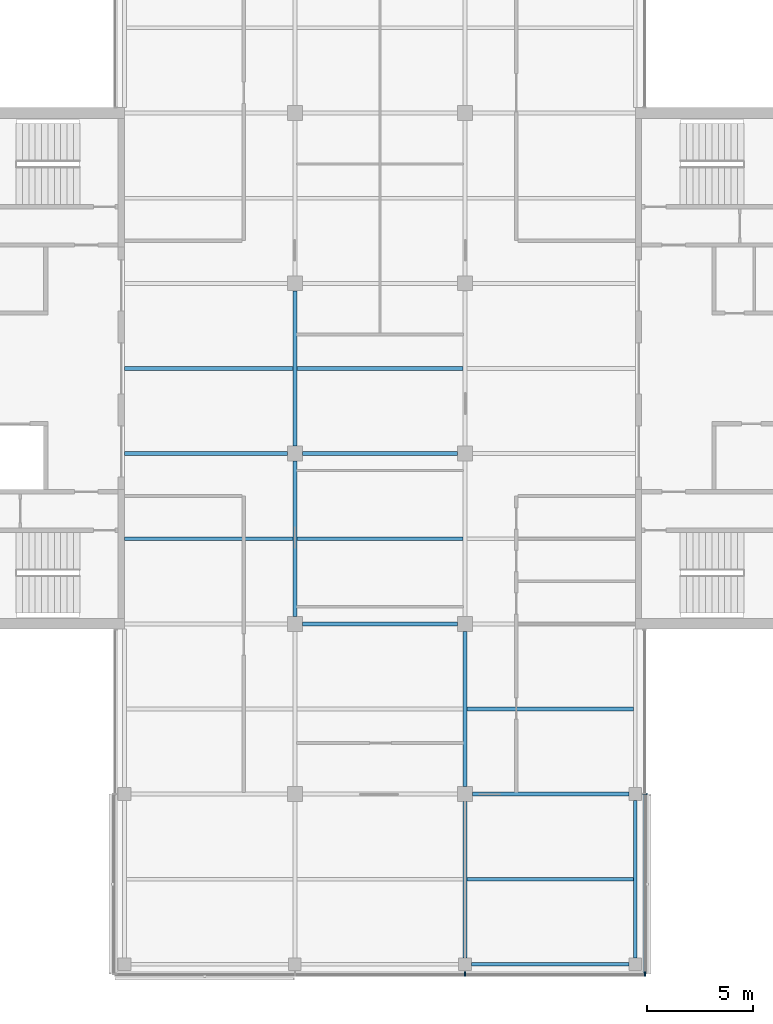
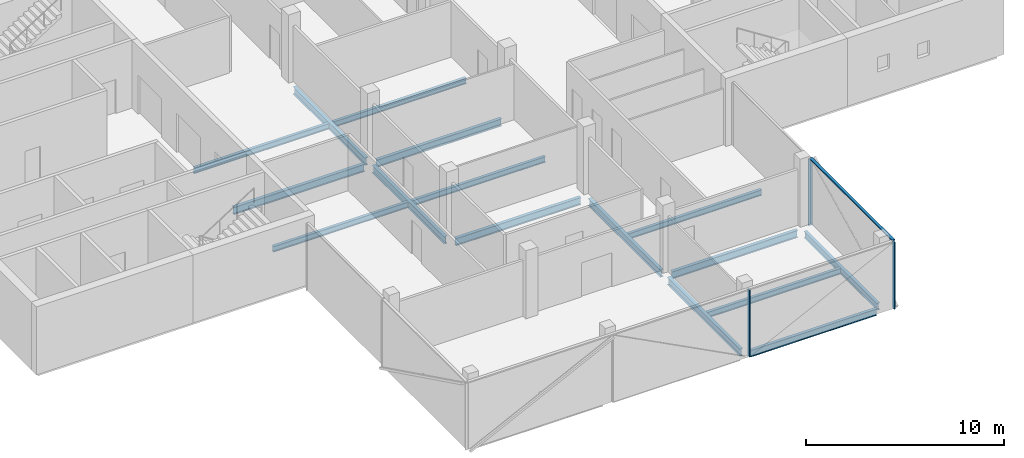
# One storey, part 3 of 15: 16 beams, 4 members, 2 elements without a shape of their own.
"""IFC4 building model written with IfcOpenShell, lengths in metres."""

import ifcopenshell
import ifcopenshell.guid

model = None  # the IFC model being written
_history = None  # IfcOwnerHistory: only IFC2X3 demands one
_inside = {}  # id of a spatial element -> (the spatial element, [elements in it])
_under = {}  # id of a project, library or spatial element -> (it, [spatial elements below it])
_declared = {}  # id of a project -> (the project, [libraries it declares])
_typed = {}  # id of a type object -> (the type object, [elements of that type])
_made_of = {}  # id of a material, layer set ... -> (it, [elements and type objects made of it])


def new_model(schema):
    """Start an empty IFC model of exactly this schema.

    Asked for "IFC4X3", IfcOpenShell would pick the latest addendum, in which some entities
    have other attributes; the version numbers below select the first issue.
    IFC2X3 requires an IfcOwnerHistory on every rooted entity: one is made here for all.
    """
    global model, _history
    if schema == "IFC4X3":
        model = ifcopenshell.file(schema_version=(4, 3, 0, 0))
    else:
        model = ifcopenshell.file(schema=schema)
    _inside.clear()
    _under.clear()
    _declared.clear()
    _typed.clear()
    _made_of.clear()
    _history = None
    if model.schema == "IFC2X3":
        org = make("IfcOrganization", Name="unknown")
        user = make(
            "IfcPersonAndOrganization",
            ThePerson=make("IfcPerson", FamilyName="unknown"),
            TheOrganization=org,
        )
        app = make(
            "IfcApplication",
            ApplicationDeveloper=org,
            Version="unknown",
            ApplicationFullName="unknown",
            ApplicationIdentifier="unknown",
        )
        _history = make(
            "IfcOwnerHistory",
            OwningUser=user,
            OwningApplication=app,
            ChangeAction="ADDED",
            CreationDate=0,
        )
    return model


def make(cls, **values):
    """One entity of the class cls with the attributes given. An attribute that is None is left unset."""
    return model.create_entity(
        cls, **{name: value for name, value in values.items() if value is not None}
    )


def rooted(cls, **values):
    """An entity with a GlobalId (a new one), such as an element, a storey or a relation."""
    return make(cls, GlobalId=ifcopenshell.guid.new(), OwnerHistory=_history, **values)


def si_unit(unit_type, name, prefix=None):
    """IfcSIUnit, for example si_unit("LENGTHUNIT", "METRE", prefix="MILLI")."""
    return make("IfcSIUnit", UnitType=unit_type, Prefix=prefix, Name=name)


def assignment(units):
    """IfcUnitAssignment: the units of a project."""
    return None if units is None else make("IfcUnitAssignment", Units=units)


def point(xyz):
    """IfcCartesianPoint."""
    return None if xyz is None else make("IfcCartesianPoint", Coordinates=xyz)


def direction(xyz):
    """IfcDirection."""
    return None if xyz is None else make("IfcDirection", DirectionRatios=xyz)


def frame(location, z_axis=None, x_axis=None):
    """IfcAxis2Placement3D, a coordinate frame: its origin and axes. An axis left out is left unset."""
    return make(
        "IfcAxis2Placement3D",
        Location=point(location),
        Axis=direction(z_axis),
        RefDirection=direction(x_axis),
    )


def frame_2d(location, x_axis=None):
    """IfcAxis2Placement2D, a coordinate frame in the plane: its origin and x axis."""
    return make(
        "IfcAxis2Placement2D", Location=point(location), RefDirection=direction(x_axis)
    )


def origin():
    """The frame at (0, 0, 0) with its axes left unset."""
    return frame((0.0, 0.0, 0.0))


def origin_2d():
    """The frame at (0, 0) in the plane with its x axis left unset."""
    return frame_2d((0.0, 0.0))


def place(relative_to, where):
    """IfcLocalPlacement: puts the frame where relative to a parent placement (None: the world)."""
    return make(
        "IfcLocalPlacement", PlacementRelTo=relative_to, RelativePlacement=where
    )


def context(
    kind, dimensions, precision=None, world=None, true_north=None, identifier=None
):
    """IfcGeometricRepresentationContext, for example the 3D "Model" context."""
    return make(
        "IfcGeometricRepresentationContext",
        ContextIdentifier=identifier,
        ContextType=kind,
        CoordinateSpaceDimension=dimensions,
        Precision=precision,
        WorldCoordinateSystem=world,
        TrueNorth=true_north,
    )


def subcontext(parent, identifier, kind, view, scale=None):
    """IfcGeometricRepresentationSubContext, for example "Body" below "Model"."""
    return make(
        "IfcGeometricRepresentationSubContext",
        ContextIdentifier=identifier,
        ContextType=kind,
        ParentContext=parent,
        TargetScale=scale,
        TargetView=view,
    )


def project(units=None, contexts=None):
    """IfcProject with its units and contexts."""
    return rooted(
        "IfcProject",
        Name="project",
        RepresentationContexts=contexts,
        UnitsInContext=assignment(units),
    )


def spatial(cls, under=None, at=None, **own):
    """A site, building, storey or space (cls), placed at a placement, below another one or the project."""
    s = rooted(cls, ObjectPlacement=at, **own)
    if under is not None:
        _under.setdefault(under.id(), (under, []))[1].append(s)
    return s


def profile(cls, at=None, kind="AREA", **sizes):
    """A parametric profile (cls). Its sizes go by their IFC names, for example OverallWidth=200.0."""
    return make(cls, ProfileType=kind, Position=at, **sizes)


def rectangle(**sizes):
    """IfcRectangleProfileDef."""
    return profile("IfcRectangleProfileDef", **sizes)


def i_section(**sizes):
    """IfcIShapeProfileDef."""
    return profile("IfcIShapeProfileDef", **sizes)


def extrude(swept, where, along, depth):
    """IfcExtrudedAreaSolid: the profile swept, set in the frame where, extruded along a direction by depth."""
    return make(
        "IfcExtrudedAreaSolid",
        SweptArea=swept,
        Position=where,
        ExtrudedDirection=direction(along),
        Depth=depth,
    )


def shape(context_of_items, identifier, shape_type, items):
    """IfcShapeRepresentation: the items that make up one representation, for example the "Body"."""
    return make(
        "IfcShapeRepresentation",
        ContextOfItems=context_of_items,
        RepresentationIdentifier=identifier,
        RepresentationType=shape_type,
        Items=items,
    )


def material(Name=None, Category=None):
    """IfcMaterial."""
    return make("IfcMaterial", Name=Name, Category=Category)


def material_profile(
    of_material, cross_section, Name=None, Category=None, Priority=None
):
    """IfcMaterialProfile: a cross section and its material."""
    return make(
        "IfcMaterialProfile",
        Name=Name,
        Material=of_material,
        Profile=cross_section,
        Priority=Priority,
        Category=Category,
    )


def profile_set(profiles, Name=None, composite=None):
    """IfcMaterialProfileSet."""
    return make(
        "IfcMaterialProfileSet",
        Name=Name,
        MaterialProfiles=profiles,
        CompositeProfile=composite,
    )


def made_of(thing, what):
    """Note that an element or type object is made of a material, layer set ...; save() writes the relation."""
    if what is not None:
        _made_of.setdefault(what.id(), (what, []))[1].append(thing)
    return thing


def type_object(cls, material=None, **own):
    """A type object (cls), such as IfcWallType, which elements share."""
    return made_of(rooted(cls, **own), material)


def element(
    cls,
    number,
    at=None,
    inside=None,
    cuts=None,
    type_object=None,
    material=None,
    context=None,
    identifier="Body",
    shape_type=None,
    held_by="IfcProductDefinitionShape",
    body=None,
    shapes=None,
    **own,
):
    """One element of the class cls, such as IfcWall. Its Tag is "e" and its number.

    at: its placement. inside: the storey or other place that contains it. cuts: it is an
    opening in that element (IfcRelVoidsElement). A single representation is given by context,
    identifier, shape_type and body (its items); several are given by shapes. held_by: the class
    of the entity that holds the representations. save() writes the other relations.
    """
    e = rooted(cls, Tag="e%d" % number, ObjectPlacement=at, **own)
    if body is not None:
        shapes = [shape(context, identifier, shape_type, body)]
    if shapes is not None:
        e.Representation = make(held_by, Representations=shapes)
    if inside is not None:
        _inside.setdefault(inside.id(), (inside, []))[1].append(e)
    if cuts is not None:
        rooted(
            "IfcRelVoidsElement", RelatingBuildingElement=cuts, RelatedOpeningElement=e
        )
    if type_object is not None:
        _typed.setdefault(type_object.id(), (type_object, []))[1].append(e)
    return made_of(e, material)


def aggregate(whole, parts):
    """IfcRelAggregates: a whole, such as a stair, and the parts it consists of."""
    return rooted("IfcRelAggregates", RelatingObject=whole, RelatedObjects=parts)


def save(model, path):
    """Write the relations noted so far, then the file.

    IfcRelAggregates (storeys below a building ...), IfcRelContainedInSpatialStructure (elements
    in a storey), IfcRelDefinesByType, IfcRelAssociatesMaterial and IfcRelDeclares: one each for
    every whole, place, type object, material and project.
    """
    for whole, parts in _under.values():
        aggregate(whole, parts)
    for where, things in _inside.values():
        rooted(
            "IfcRelContainedInSpatialStructure",
            RelatedElements=things,
            RelatingStructure=where,
        )
    for kind, things in _typed.values():
        rooted("IfcRelDefinesByType", RelatedObjects=things, RelatingType=kind)
    for what, things in _made_of.values():
        rooted("IfcRelAssociatesMaterial", RelatedObjects=things, RelatingMaterial=what)
    for by, libraries in _declared.values():
        rooted("IfcRelDeclares", RelatingContext=by, RelatedDefinitions=libraries)
    model.write(path)


model = new_model("IFC4")

# Units and contexts
model_context = context("Model", 3, precision=1e-05, world=origin(), true_north=direction((0.0, 1.0)))
body_context = subcontext(model_context, "Body", "Model", "MODEL_VIEW")
ifc_project = project(units=[si_unit("LENGTHUNIT", "METRE"), si_unit("AREAUNIT", "SQUARE_METRE"), si_unit("VOLUMEUNIT", "CUBIC_METRE"), si_unit("PLANEANGLEUNIT", "RADIAN"), si_unit("MASSUNIT", "GRAM", prefix="KILO")], contexts=[model_context])

# Site, building, storey
site_placement = place(None, origin())
site = spatial("IfcSite", under=ifc_project, at=site_placement, CompositionType="ELEMENT")
building_placement = place(site_placement, origin())
building = spatial("IfcBuilding", under=site, at=building_placement, Name="Crosswind Convention Tower", CompositionType="ELEMENT")
storey_placement = place(building_placement, frame((0.0, 0.0, 266.10009765625)))
storey = spatial("IfcBuildingStorey", under=building, at=storey_placement, Name="L57", CompositionType="ELEMENT", Elevation=266.10009765625)

# Beams
ifc_material_1 = material(Name="Steel S355", Category="steel")
ifc_material_profile_1 = material_profile(ifc_material_1, i_section(OverallWidth=0.177734375, OverallDepth=0.406494140625, WebThickness=0.0078125, FlangeThickness=0.0126953125, FilletRadius=0.01025390625, at=origin_2d()), Name="UB 406x178x60")
ifc_profile_set_1 = profile_set([ifc_material_profile_1], Name="Steel S355")
beam_type_1 = type_object("IfcBeamType", Name="Edge beam UB 406x178x60", PredefinedType="SPANDREL", material=ifc_profile_set_1)
for number, where, z_axis, x_axis, name in (
    (1, (129.300048828125, 72.0, -0.50341796875), (1.0, 0.0, 0.0), (0.0, 1.0, 0.0), "B15 L57 edge beam 9"),
    (2, (137.0, 72.300048828125, -0.50341796875), (0.0, 1.0, 0.0), (-1.0, 0.0, 0.0), "B15 L57 edge beam 11"),
):
    element("IfcBeam", number, at=place(storey_placement, frame(where, z_axis=z_axis, x_axis=x_axis)), inside=storey, type_object=beam_type_1, Name=name, PredefinedType="SPANDREL", context=body_context, shape_type="SweptSolid", body=[
        extrude(i_section(OverallWidth=0.177734375, OverallDepth=0.406494140625, WebThickness=0.0078125, FlangeThickness=0.0126953125, FilletRadius=0.01025390625, at=origin_2d()), origin(), (0.0, 0.0, 1.0), 7.39990234375),
    ])
ifc_material_profile_2 = material_profile(ifc_material_1, i_section(OverallWidth=0.18994140625, OverallDepth=0.45361328125, WebThickness=0.008544921875, FlangeThickness=0.0126953125, FilletRadius=0.01025390625, at=origin_2d()), Name="UB 457x191x67")
ifc_profile_set_2 = profile_set([ifc_material_profile_2], Name="Steel S355")
beam_type_2 = type_object("IfcBeamType", Name="Girder UB 457x191x67", PredefinedType="BEAM", material=ifc_profile_set_2)
for number, where, z_axis, x_axis, name in (
    (3, (121.0, 88.35009765625, -0.52685546875), (0.0, 1.0, 0.0), (-1.0, 0.0, 0.0), "B1 L57 girder 5"),
    (4, (121.0, 96.35009765625, -0.52685546875), (0.0, 1.0, 0.0), (-1.0, 0.0, 0.0), "B1 L57 girder 6"),
    (5, (121.35009765625, 88.0, -0.52685546875), (1.0, 0.0, 0.0), (0.0, 1.0, 0.0), "B1 L57 girder 11"),
    (6, (121.35009765625, 96.0, -0.52685546875), (1.0, 0.0, 0.0), (0.0, 1.0, 0.0), "B1 L57 girder 12"),
):
    element("IfcBeam", number, at=place(storey_placement, frame(where, z_axis=z_axis, x_axis=x_axis)), inside=storey, type_object=beam_type_2, Name=name, PredefinedType="BEAM", context=body_context, shape_type="SweptSolid", body=[
        extrude(i_section(OverallWidth=0.18994140625, OverallDepth=0.45361328125, WebThickness=0.008544921875, FlangeThickness=0.0126953125, FilletRadius=0.01025390625, at=origin_2d()), origin(), (0.0, 0.0, 1.0), 7.2998046875),
    ])
beam_1_placement = place(storey_placement, frame((129.0, 72.300048828125, -0.52685546875), z_axis=(0.0, 1.0, 0.0), x_axis=(-1.0, 0.0, 0.0)))
element("IfcBeam", 7, at=beam_1_placement, inside=storey, type_object=beam_type_2, Name="B1 L57 girder 16", PredefinedType="BEAM", context=body_context, shape_type="SweptSolid", body=[
    extrude(i_section(OverallWidth=0.18994140625, OverallDepth=0.45361328125, WebThickness=0.008544921875, FlangeThickness=0.0126953125, FilletRadius=0.01025390625, at=origin_2d()), origin(), (0.0, 0.0, 1.0), 7.349853515625),
])
beam_2_placement = place(storey_placement, frame((129.0, 80.35009765625, -0.52685546875), z_axis=(0.0, 1.0, 0.0), x_axis=(-1.0, 0.0, 0.0)))
element("IfcBeam", 8, at=beam_2_placement, inside=storey, type_object=beam_type_2, Name="B1 L57 girder 17", PredefinedType="BEAM", context=body_context, shape_type="SweptSolid", body=[
    extrude(i_section(OverallWidth=0.18994140625, OverallDepth=0.45361328125, WebThickness=0.008544921875, FlangeThickness=0.0126953125, FilletRadius=0.01025390625, at=origin_2d()), origin(), (0.0, 0.0, 1.0), 7.2998046875),
])
beam_3_placement = place(storey_placement, frame((129.35009765625, 80.0, -0.52685546875), z_axis=(1.0, 0.0, 0.0), x_axis=(0.0, 1.0, 0.0)))
element("IfcBeam", 9, at=beam_3_placement, inside=storey, type_object=beam_type_2, Name="B1 L57 girder 23", PredefinedType="BEAM", context=body_context, shape_type="SweptSolid", body=[
    extrude(i_section(OverallWidth=0.18994140625, OverallDepth=0.45361328125, WebThickness=0.008544921875, FlangeThickness=0.0126953125, FilletRadius=0.01025390625, at=origin_2d()), origin(), (0.0, 0.0, 1.0), 7.349853515625),
])
ifc_material_profile_3 = material_profile(ifc_material_1, i_section(OverallWidth=0.1904296875, OverallDepth=0.457275390625, WebThickness=0.009033203125, FlangeThickness=0.014404296875, FilletRadius=0.01025390625, at=origin_2d()), Name="UB 457x191x75")
ifc_profile_set_3 = profile_set([ifc_material_profile_3], Name="Steel S355")
beam_type_3 = type_object("IfcBeamType", Name="Girder at core wall UB 457x191x75", PredefinedType="BEAM", material=ifc_profile_set_3)
beam_4_placement = place(storey_placement, frame((113.0, 96.0, -0.52880859375), z_axis=(1.0, 0.0, 0.0), x_axis=(0.0, 1.0, 0.0)))
element("IfcBeam", 10, at=beam_4_placement, inside=storey, type_object=beam_type_3, Name="B22 L57 girder at core wall 2", PredefinedType="BEAM", context=body_context, shape_type="SweptSolid", body=[
    extrude(i_section(OverallWidth=0.1904296875, OverallDepth=0.457275390625, WebThickness=0.009033203125, FlangeThickness=0.014404296875, FilletRadius=0.01025390625, at=origin_2d()), origin(), (0.0, 0.0, 1.0), 7.64990234375),
])

# Curtain wall, members
ifc_material_2 = material(Name="Aluminium unitised curtain wall", Category="aluminium")
curtain_wall_type = type_object("IfcCurtainWallType", Name="OFFICE UNITISED WALL 220", PredefinedType="USERDEFINED", material=ifc_material_2)
curtain_wall_1_placement = place(storey_placement, origin())
curtain_wall_1 = element("IfcCurtainWall", 11, at=curtain_wall_1_placement, inside=storey, type_object=curtain_wall_type, Name="CW3 L57 S-TIP 1", ObjectType="UNITISED", PredefinedType="USERDEFINED")
ifc_material_3 = material(Name="Aluminium mullion", Category="aluminium")
ifc_material_profile_4 = material_profile(ifc_material_3, rectangle(XDim=0.219970703125, YDim=0.070068359375, at=origin_2d()), Name="AL 220X70")
ifc_profile_set_4 = profile_set([ifc_material_profile_4], Name="Aluminium mullion")
member_type_1 = type_object("IfcMemberType", Name="MULLION 70X220", PredefinedType="MULLION", material=ifc_profile_set_4)
member_1_placement = place(storey_placement, frame((129.0, 71.5400390625, -0.300048828125), z_axis=(0.0, 0.0, 1.0), x_axis=(0.0, -1.0, 0.0)))
member_1 = element("IfcMember", 12, at=member_1_placement, type_object=member_type_1, Name="CW3 mullion 3", PredefinedType="MULLION", context=body_context, shape_type="SweptSolid", body=[
    extrude(rectangle(XDim=0.219970703125, YDim=0.070068359375, at=origin_2d()), origin(), (0.0, 0.0, 1.0), 4.1298828125),
])
member_2_placement = place(storey_placement, frame((137.4599609375, 71.5400390625, -0.300048828125), z_axis=(0.0, 0.0, 1.0), x_axis=(0.0, -1.0, 0.0)))
member_2 = element("IfcMember", 13, at=member_2_placement, type_object=member_type_1, Name="CW3 mullion 4", PredefinedType="MULLION", context=body_context, shape_type="SweptSolid", body=[
    extrude(rectangle(XDim=0.219970703125, YDim=0.070068359375, at=origin_2d()), origin(), (0.0, 0.0, 1.0), 4.1298828125),
])
aggregate(curtain_wall_1, [member_1, member_2])

# Curtain wall, member
curtain_wall_2_placement = place(storey_placement, origin())
curtain_wall_2 = element("IfcCurtainWall", 14, at=curtain_wall_2_placement, inside=storey, type_object=curtain_wall_type, Name="CW3 L57 S-E 1", ObjectType="UNITISED", PredefinedType="USERDEFINED")
member_3_placement = place(storey_placement, frame((137.4599609375, 80.0, -0.300048828125), z_axis=(0.0, 0.0, 1.0), x_axis=(1.0, 0.0, 0.0)))
member_3 = element("IfcMember", 15, at=member_3_placement, type_object=member_type_1, Name="CW3 mullion 2", PredefinedType="MULLION", context=body_context, shape_type="SweptSolid", body=[
    extrude(rectangle(XDim=0.219970703125, YDim=0.070068359375, at=origin_2d()), origin(), (0.0, 0.0, 1.0), 4.1298828125),
])

# Beams
ifc_material_profile_5 = material_profile(ifc_material_1, i_section(OverallWidth=0.17138671875, OverallDepth=0.355712890625, WebThickness=0.00732421875, FlangeThickness=0.011474609375, FilletRadius=0.01025390625, at=origin_2d()), Name="UB 356x171x51")
ifc_profile_set_5 = profile_set([ifc_material_profile_5], Name="Steel S355")
beam_type_4 = type_object("IfcBeamType", Name="Secondary beam UB 356x171x51", PredefinedType="JOIST", material=ifc_profile_set_5)
for number, where, z_axis, x_axis, name in (
    (16, (113.0, 92.0, -0.477783203125), (1.0, 0.0, 0.0), (0.0, 1.0, 0.0), "B8 L57 secondary beam 1"),
    (17, (113.0, 100.0, -0.477783203125), (1.0, 0.0, 0.0), (0.0, 1.0, 0.0), "B8 L57 secondary beam 2"),
):
    element("IfcBeam", number, at=place(storey_placement, frame(where, z_axis=z_axis, x_axis=x_axis)), inside=storey, type_object=beam_type_4, Name=name, PredefinedType="JOIST", context=body_context, shape_type="SweptSolid", body=[
        extrude(i_section(OverallWidth=0.17138671875, OverallDepth=0.355712890625, WebThickness=0.00732421875, FlangeThickness=0.011474609375, FilletRadius=0.01025390625, at=origin_2d()), origin(), (0.0, 0.0, 1.0), 7.905029296875),
    ])
for number, where, z_axis, x_axis, name in (
    (18, (121.094970703125, 92.0, -0.477783203125), (1.0, 0.0, 0.0), (0.0, 1.0, 0.0), "B8 L57 secondary beam 10"),
    (19, (121.094970703125, 100.0, -0.477783203125), (1.0, 0.0, 0.0), (0.0, 1.0, 0.0), "B8 L57 secondary beam 11"),
):
    element("IfcBeam", number, at=place(storey_placement, frame(where, z_axis=z_axis, x_axis=x_axis)), inside=storey, type_object=beam_type_4, Name=name, PredefinedType="JOIST", context=body_context, shape_type="SweptSolid", body=[
        extrude(i_section(OverallWidth=0.17138671875, OverallDepth=0.355712890625, WebThickness=0.00732421875, FlangeThickness=0.011474609375, FilletRadius=0.01025390625, at=origin_2d()), origin(), (0.0, 0.0, 1.0), 7.81005859375),
    ])
for number, where, z_axis, x_axis, name in (
    (20, (129.094970703125, 76.0, -0.477783203125), (1.0, 0.0, 0.0), (0.0, 1.0, 0.0), "B8 L57 secondary beam 15"),
    (21, (129.094970703125, 84.0, -0.477783203125), (1.0, 0.0, 0.0), (0.0, 1.0, 0.0), "B8 L57 secondary beam 16"),
):
    element("IfcBeam", number, at=place(storey_placement, frame(where, z_axis=z_axis, x_axis=x_axis)), inside=storey, type_object=beam_type_4, Name=name, PredefinedType="JOIST", context=body_context, shape_type="SweptSolid", body=[
        extrude(i_section(OverallWidth=0.17138671875, OverallDepth=0.355712890625, WebThickness=0.00732421875, FlangeThickness=0.011474609375, FilletRadius=0.01025390625, at=origin_2d()), origin(), (0.0, 0.0, 1.0), 7.816162109375),
    ])

# Member
ifc_material_4 = material(Name="Aluminium transom", Category="aluminium")
ifc_material_profile_6 = material_profile(ifc_material_4, rectangle(XDim=0.159912109375, YDim=0.070068359375, at=origin_2d()), Name="AL 160X70")
ifc_profile_set_6 = profile_set([ifc_material_profile_6], Name="Aluminium transom")
member_type_2 = type_object("IfcMemberType", Name="TRANSOM 70X160", PredefinedType="USERDEFINED", material=ifc_profile_set_6)
member_4_placement = place(storey_placement, frame((137.4599609375, 71.574951171875, 3.864990234375), z_axis=(0.0, 1.0, 0.0), x_axis=(-1.0, 0.0, 0.0)))
member_4 = element("IfcMember", 22, at=member_4_placement, type_object=member_type_2, Name="CW3 transom", ObjectType="TRANSOM", PredefinedType="USERDEFINED", context=body_context, shape_type="SweptSolid", body=[
    extrude(rectangle(XDim=0.159912109375, YDim=0.070068359375, at=origin_2d()), origin(), (0.0, 0.0, 1.0), 8.39013671875),
])

aggregate(curtain_wall_2, [member_3, member_4])

save(model, "model.ifc")
